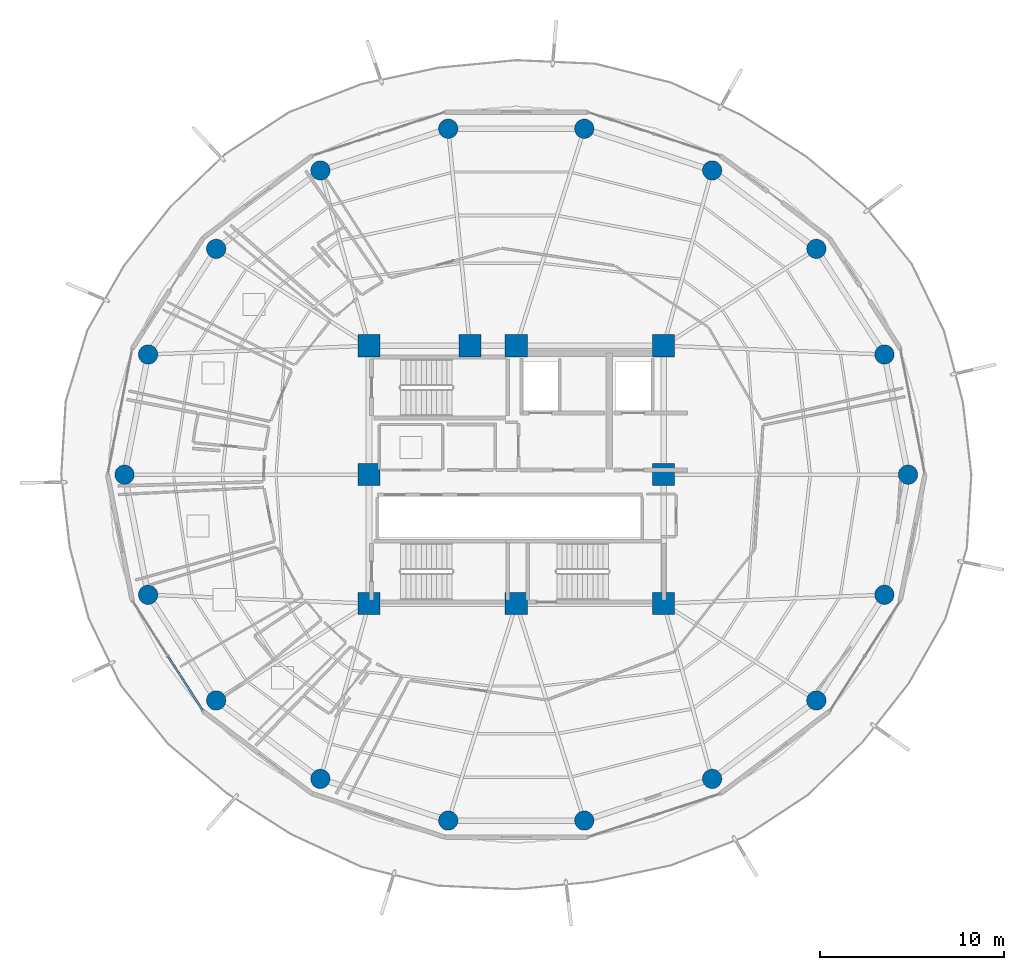
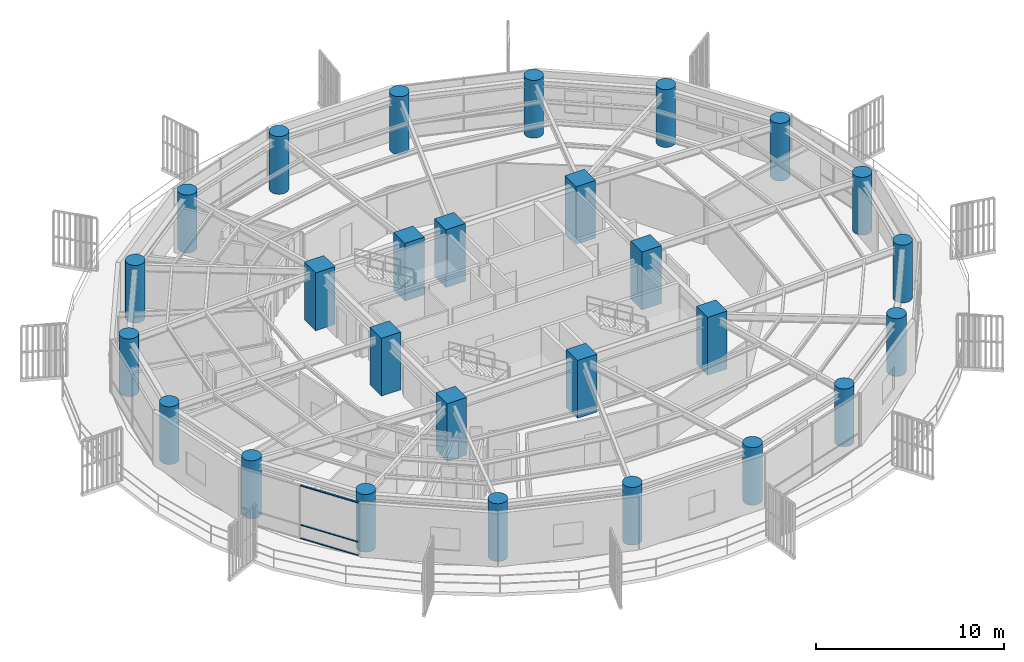
# One storey, part 1 of 31: 27 columns, 3 members, 1 element without a shape of its own.
"""IFC4 building model written with IfcOpenShell, lengths in metres."""

import ifcopenshell
import ifcopenshell.guid

model = None  # the IFC model being written
_history = None  # IfcOwnerHistory: only IFC2X3 demands one
_inside = {}  # id of a spatial element -> (the spatial element, [elements in it])
_under = {}  # id of a project, library or spatial element -> (it, [spatial elements below it])
_declared = {}  # id of a project -> (the project, [libraries it declares])
_typed = {}  # id of a type object -> (the type object, [elements of that type])
_made_of = {}  # id of a material, layer set ... -> (it, [elements and type objects made of it])


def new_model(schema):
    """Start an empty IFC model of exactly this schema.

    Asked for "IFC4X3", IfcOpenShell would pick the latest addendum, in which some entities
    have other attributes; the version numbers below select the first issue.
    IFC2X3 requires an IfcOwnerHistory on every rooted entity: one is made here for all.
    """
    global model, _history
    if schema == "IFC4X3":
        model = ifcopenshell.file(schema_version=(4, 3, 0, 0))
    else:
        model = ifcopenshell.file(schema=schema)
    _inside.clear()
    _under.clear()
    _declared.clear()
    _typed.clear()
    _made_of.clear()
    _history = None
    if model.schema == "IFC2X3":
        org = make("IfcOrganization", Name="unknown")
        user = make(
            "IfcPersonAndOrganization",
            ThePerson=make("IfcPerson", FamilyName="unknown"),
            TheOrganization=org,
        )
        app = make(
            "IfcApplication",
            ApplicationDeveloper=org,
            Version="unknown",
            ApplicationFullName="unknown",
            ApplicationIdentifier="unknown",
        )
        _history = make(
            "IfcOwnerHistory",
            OwningUser=user,
            OwningApplication=app,
            ChangeAction="ADDED",
            CreationDate=0,
        )
    return model


def make(cls, **values):
    """One entity of the class cls with the attributes given. An attribute that is None is left unset."""
    return model.create_entity(
        cls, **{name: value for name, value in values.items() if value is not None}
    )


def rooted(cls, **values):
    """An entity with a GlobalId (a new one), such as an element, a storey or a relation."""
    return make(cls, GlobalId=ifcopenshell.guid.new(), OwnerHistory=_history, **values)


def si_unit(unit_type, name, prefix=None):
    """IfcSIUnit, for example si_unit("LENGTHUNIT", "METRE", prefix="MILLI")."""
    return make("IfcSIUnit", UnitType=unit_type, Prefix=prefix, Name=name)


def assignment(units):
    """IfcUnitAssignment: the units of a project."""
    return None if units is None else make("IfcUnitAssignment", Units=units)


def point(xyz):
    """IfcCartesianPoint."""
    return None if xyz is None else make("IfcCartesianPoint", Coordinates=xyz)


def direction(xyz):
    """IfcDirection."""
    return None if xyz is None else make("IfcDirection", DirectionRatios=xyz)


def frame(location, z_axis=None, x_axis=None):
    """IfcAxis2Placement3D, a coordinate frame: its origin and axes. An axis left out is left unset."""
    return make(
        "IfcAxis2Placement3D",
        Location=point(location),
        Axis=direction(z_axis),
        RefDirection=direction(x_axis),
    )


def frame_2d(location, x_axis=None):
    """IfcAxis2Placement2D, a coordinate frame in the plane: its origin and x axis."""
    return make(
        "IfcAxis2Placement2D", Location=point(location), RefDirection=direction(x_axis)
    )


def origin():
    """The frame at (0, 0, 0) with its axes left unset."""
    return frame((0.0, 0.0, 0.0))


def origin_2d():
    """The frame at (0, 0) in the plane with its x axis left unset."""
    return frame_2d((0.0, 0.0))


def place(relative_to, where):
    """IfcLocalPlacement: puts the frame where relative to a parent placement (None: the world)."""
    return make(
        "IfcLocalPlacement", PlacementRelTo=relative_to, RelativePlacement=where
    )


def context(
    kind, dimensions, precision=None, world=None, true_north=None, identifier=None
):
    """IfcGeometricRepresentationContext, for example the 3D "Model" context."""
    return make(
        "IfcGeometricRepresentationContext",
        ContextIdentifier=identifier,
        ContextType=kind,
        CoordinateSpaceDimension=dimensions,
        Precision=precision,
        WorldCoordinateSystem=world,
        TrueNorth=true_north,
    )


def subcontext(parent, identifier, kind, view, scale=None):
    """IfcGeometricRepresentationSubContext, for example "Body" below "Model"."""
    return make(
        "IfcGeometricRepresentationSubContext",
        ContextIdentifier=identifier,
        ContextType=kind,
        ParentContext=parent,
        TargetScale=scale,
        TargetView=view,
    )


def project(units=None, contexts=None):
    """IfcProject with its units and contexts."""
    return rooted(
        "IfcProject",
        Name="project",
        RepresentationContexts=contexts,
        UnitsInContext=assignment(units),
    )


def spatial(cls, under=None, at=None, **own):
    """A site, building, storey or space (cls), placed at a placement, below another one or the project."""
    s = rooted(cls, ObjectPlacement=at, **own)
    if under is not None:
        _under.setdefault(under.id(), (under, []))[1].append(s)
    return s


def profile(cls, at=None, kind="AREA", **sizes):
    """A parametric profile (cls). Its sizes go by their IFC names, for example OverallWidth=200.0."""
    return make(cls, ProfileType=kind, Position=at, **sizes)


def rectangle(**sizes):
    """IfcRectangleProfileDef."""
    return profile("IfcRectangleProfileDef", **sizes)


def hollow_rectangle(**sizes):
    """IfcRectangleHollowProfileDef."""
    return profile("IfcRectangleHollowProfileDef", **sizes)


def circle(**sizes):
    """IfcCircleProfileDef."""
    return profile("IfcCircleProfileDef", **sizes)


def extrude(swept, where, along, depth):
    """IfcExtrudedAreaSolid: the profile swept, set in the frame where, extruded along a direction by depth."""
    return make(
        "IfcExtrudedAreaSolid",
        SweptArea=swept,
        Position=where,
        ExtrudedDirection=direction(along),
        Depth=depth,
    )


def shape(context_of_items, identifier, shape_type, items):
    """IfcShapeRepresentation: the items that make up one representation, for example the "Body"."""
    return make(
        "IfcShapeRepresentation",
        ContextOfItems=context_of_items,
        RepresentationIdentifier=identifier,
        RepresentationType=shape_type,
        Items=items,
    )


def material(Name=None, Category=None):
    """IfcMaterial."""
    return make("IfcMaterial", Name=Name, Category=Category)


def layer(
    of_material, thickness, ventilated=None, Name=None, Category=None, Priority=None
):
    """IfcMaterialLayer: one layer of a wall or slab, of a material (None: an air gap)."""
    return make(
        "IfcMaterialLayer",
        Material=of_material,
        LayerThickness=thickness,
        IsVentilated=ventilated,
        Name=Name,
        Category=Category,
        Priority=Priority,
    )


def layer_set(layers, Name=None):
    """IfcMaterialLayerSet."""
    return make("IfcMaterialLayerSet", MaterialLayers=layers, LayerSetName=Name)


def material_profile(
    of_material, cross_section, Name=None, Category=None, Priority=None
):
    """IfcMaterialProfile: a cross section and its material."""
    return make(
        "IfcMaterialProfile",
        Name=Name,
        Material=of_material,
        Profile=cross_section,
        Priority=Priority,
        Category=Category,
    )


def profile_set(profiles, Name=None, composite=None):
    """IfcMaterialProfileSet."""
    return make(
        "IfcMaterialProfileSet",
        Name=Name,
        MaterialProfiles=profiles,
        CompositeProfile=composite,
    )


def made_of(thing, what):
    """Note that an element or type object is made of a material, layer set ...; save() writes the relation."""
    if what is not None:
        _made_of.setdefault(what.id(), (what, []))[1].append(thing)
    return thing


def type_object(cls, material=None, **own):
    """A type object (cls), such as IfcWallType, which elements share."""
    return made_of(rooted(cls, **own), material)


def element(
    cls,
    number,
    at=None,
    inside=None,
    cuts=None,
    type_object=None,
    material=None,
    context=None,
    identifier="Body",
    shape_type=None,
    held_by="IfcProductDefinitionShape",
    body=None,
    shapes=None,
    **own,
):
    """One element of the class cls, such as IfcWall. Its Tag is "e" and its number.

    at: its placement. inside: the storey or other place that contains it. cuts: it is an
    opening in that element (IfcRelVoidsElement). A single representation is given by context,
    identifier, shape_type and body (its items); several are given by shapes. held_by: the class
    of the entity that holds the representations. save() writes the other relations.
    """
    e = rooted(cls, Tag="e%d" % number, ObjectPlacement=at, **own)
    if body is not None:
        shapes = [shape(context, identifier, shape_type, body)]
    if shapes is not None:
        e.Representation = make(held_by, Representations=shapes)
    if inside is not None:
        _inside.setdefault(inside.id(), (inside, []))[1].append(e)
    if cuts is not None:
        rooted(
            "IfcRelVoidsElement", RelatingBuildingElement=cuts, RelatedOpeningElement=e
        )
    if type_object is not None:
        _typed.setdefault(type_object.id(), (type_object, []))[1].append(e)
    return made_of(e, material)


def aggregate(whole, parts):
    """IfcRelAggregates: a whole, such as a stair, and the parts it consists of."""
    return rooted("IfcRelAggregates", RelatingObject=whole, RelatedObjects=parts)


def save(model, path):
    """Write the relations noted so far, then the file.

    IfcRelAggregates (storeys below a building ...), IfcRelContainedInSpatialStructure (elements
    in a storey), IfcRelDefinesByType, IfcRelAssociatesMaterial and IfcRelDeclares: one each for
    every whole, place, type object, material and project.
    """
    for whole, parts in _under.values():
        aggregate(whole, parts)
    for where, things in _inside.values():
        rooted(
            "IfcRelContainedInSpatialStructure",
            RelatedElements=things,
            RelatingStructure=where,
        )
    for kind, things in _typed.values():
        rooted("IfcRelDefinesByType", RelatedObjects=things, RelatingType=kind)
    for what, things in _made_of.values():
        rooted("IfcRelAssociatesMaterial", RelatedObjects=things, RelatingMaterial=what)
    for by, libraries in _declared.values():
        rooted("IfcRelDeclares", RelatingContext=by, RelatedDefinitions=libraries)
    model.write(path)


model = new_model("IFC4")

# Units and contexts
model_context = context("Model", 3, precision=1e-05, world=origin(), true_north=direction((0.0, 1.0)))
body_context = subcontext(model_context, "Body", "Model", "MODEL_VIEW")
ifc_project = project(units=[si_unit("LENGTHUNIT", "METRE"), si_unit("AREAUNIT", "SQUARE_METRE"), si_unit("VOLUMEUNIT", "CUBIC_METRE"), si_unit("PLANEANGLEUNIT", "RADIAN"), si_unit("MASSUNIT", "GRAM", prefix="KILO")], contexts=[model_context])

# Site, building, storey
site_placement = place(None, origin())
site = spatial("IfcSite", under=ifc_project, at=site_placement, CompositionType="ELEMENT")
building_placement = place(site_placement, origin())
building = spatial("IfcBuilding", under=site, at=building_placement, Name="Kelanora Arch Commons", CompositionType="ELEMENT")
storey_placement = place(building_placement, frame((0.0, 0.0, 200.699951171875)))
storey = spatial("IfcBuildingStorey", under=building, at=storey_placement, Name="L51", CompositionType="ELEMENT", Elevation=200.699951171875)

# Columns
ifc_material_1 = material(Name="Concrete C50/60", Category="concrete")
ifc_material_profile_1 = material_profile(ifc_material_1, circle(Radius=0.52490234375, at=origin_2d()), Name="RCC1050")
ifc_profile_set_1 = profile_set([ifc_material_profile_1], Name="Concrete C50/60")
column_type_1 = type_object("IfcColumnType", Name="COL-PERIM-Z4", PredefinedType="COLUMN", material=ifc_profile_set_1)
for number, where, z_axis, x_axis, name in (
    (1, (95.280029296875, 58.0, 0.0), (0.0, 0.0, 1.0), (1.0, 0.0, 0.0), "Perimeter Ring Column CP-00 L51"),
    (2, (93.99658203125, 64.525634765625, 0.0), (0.0, 0.0, 1.0), (1.0, 0.0, 0.0), "Perimeter Ring Column CP-02 L51"),
    (3, (90.301513671875, 70.264404296875, 0.0), (0.0, 0.0, 1.0), (1.0, 0.0, 0.0), "Perimeter Ring Column CP-04 L51"),
    (4, (84.639892578125, 74.523681640625, 0.0), (0.0, 0.0, 1.0), (1.0, 0.0, 0.0), "Perimeter Ring Column CP-06 L51"),
    (5, (77.6953125, 76.7900390625, 0.0), (0.0, 0.0, 1.0), (1.0, 0.0, 0.0), "Perimeter Ring Column CP-08 L51"),
    (6, (70.3046875, 76.7900390625, 0.0), (0.0, 0.0, 1.0), (1.0, 0.0, 0.0), "Perimeter Ring Column CP-10 L51"),
    (7, (63.360107421875, 74.523681640625, 0.0), (0.0, 0.0, 1.0), (1.0, 0.0, 0.0), "Perimeter Ring Column CP-12 L51"),
    (8, (57.698486328125, 70.264404296875, 0.0), (0.0, 0.0, 1.0), (1.0, 0.0, 0.0), "Perimeter Ring Column CP-14 L51"),
    (9, (54.00341796875, 64.525634765625, 0.0), (0.0, 0.0, 1.0), (1.0, 0.0, 0.0), "Perimeter Ring Column CP-16 L51"),
    (10, (52.719970703125, 58.0, 0.0), (0.0, 0.0, 1.0), (1.0, 0.0, 0.0), "Perimeter Ring Column CP-18 L51"),
    (11, (54.00341796875, 51.474365234375, 0.0), (0.0, 0.0, 1.0), (1.0, 0.0, 0.0), "Perimeter Ring Column CP-20 L51"),
    (12, (57.698486328125, 45.735595703125, 0.0), (0.0, 0.0, 1.0), (1.0, 0.0, 0.0), "Perimeter Ring Column CP-22 L51"),
    (13, (63.360107421875, 41.476318359375, 0.0), (0.0, 0.0, 1.0), (1.0, 0.0, 0.0), "Perimeter Ring Column CP-24 L51"),
    (14, (70.3046875, 39.2099609375, 0.0), (0.0, 0.0, 1.0), (1.0, 0.0, 0.0), "Perimeter Ring Column CP-26 L51"),
    (15, (77.6953125, 39.2099609375, 0.0), (0.0, 0.0, 1.0), (1.0, 0.0, 0.0), "Perimeter Ring Column CP-28 L51"),
    (16, (84.639892578125, 41.476318359375, 0.0), (0.0, 0.0, 1.0), (1.0, 0.0, 0.0), "Perimeter Ring Column CP-30 L51"),
    (17, (90.301513671875, 45.735595703125, 0.0), (0.0, 0.0, 1.0), (1.0, 0.0, 0.0), "Perimeter Ring Column CP-32 L51"),
    (18, (93.99658203125, 51.474365234375, 0.0), (0.0, 0.0, 1.0), (1.0, 0.0, 0.0), "Perimeter Ring Column CP-34 L51"),
):
    element("IfcColumn", number, at=place(storey_placement, frame(where, z_axis=z_axis, x_axis=x_axis)), inside=storey, type_object=column_type_1, Name=name, PredefinedType="COLUMN", context=body_context, shape_type="SweptSolid", body=[
        extrude(circle(Radius=0.52490234375, at=origin_2d()), origin(), (0.0, 0.0, 1.0), 3.75),
    ])
ifc_material_2 = material(Name="Concrete C60/75", Category="concrete")
ifc_material_profile_2 = material_profile(ifc_material_2, rectangle(XDim=1.199951171875, YDim=1.199951171875, at=origin_2d()), Name="RC1200x1200")
ifc_profile_set_2 = profile_set([ifc_material_profile_2], Name="Concrete C60/75")
column_type_2 = type_object("IfcColumnType", Name="COL-PIL-MID", PredefinedType="PILASTER", material=ifc_profile_set_2)
for number, where, z_axis, x_axis, name in (
    (19, (66.0, 51.0, 0.0), (0.0, 0.0, 1.0), (1.0, 0.0, 0.0), "Core Pilaster Column CP1 L51"),
    (20, (74.0, 51.0, 0.0), (0.0, 0.0, 1.0), (1.0, 0.0, 0.0), "Core Pilaster Column CP2 L51"),
    (21, (82.0, 51.0, 0.0), (0.0, 0.0, 1.0), (1.0, 0.0, 0.0), "Core Pilaster Column CP3 L51"),
    (22, (82.0, 58.0, 0.0), (0.0, 0.0, 1.0), (1.0, 0.0, 0.0), "Core Pilaster Column CP4 L51"),
    (23, (82.0, 65.0, 0.0), (0.0, 0.0, 1.0), (1.0, 0.0, 0.0), "Core Pilaster Column CP5 L51"),
    (24, (74.0, 65.0, 0.0), (0.0, 0.0, 1.0), (1.0, 0.0, 0.0), "Core Pilaster Column CP6 L51"),
    (25, (71.47998046875, 65.0, 0.0), (0.0, 0.0, 1.0), (1.0, 0.0, 0.0), "Core Pilaster Column CP9 L51"),
    (26, (66.0, 65.0, 0.0), (0.0, 0.0, 1.0), (1.0, 0.0, 0.0), "Core Pilaster Column CP7 L51"),
    (27, (66.0, 58.0, 0.0), (0.0, 0.0, 1.0), (1.0, 0.0, 0.0), "Core Pilaster Column CP8 L51"),
):
    element("IfcColumn", number, at=place(storey_placement, frame(where, z_axis=z_axis, x_axis=x_axis)), inside=storey, type_object=column_type_2, Name=name, PredefinedType="PILASTER", context=body_context, shape_type="SweptSolid", body=[
        extrude(rectangle(XDim=1.199951171875, YDim=1.199951171875, at=origin_2d()), origin(), (0.0, 0.0, 1.0), 3.75),
    ])

# Curtain wall, members
ifc_material_3 = material(Name="Terracotta ceramic-fritted low-E glass and aluminium", Category="masonry")
ifc_layer = layer(ifc_material_3, 0.175048828125)
ifc_layer_set = layer_set([ifc_layer], Name="Terracotta ceramic-fritted low-E glass and aluminium")
curtain_wall_type = type_object("IfcCurtainWallType", Name="CW-SYS-02", PredefinedType="NOTDEFINED", material=ifc_layer_set)
curtain_wall_placement = place(storey_placement, origin())
curtain_wall = element("IfcCurtainWall", 28, at=curtain_wall_placement, inside=storey, type_object=curtain_wall_type, Name="Unitised Curtain Wall L51-B10", PredefinedType="NOTDEFINED")
ifc_material_4 = material(Name="Powder-coated aluminium terracotta", Category="masonry")
ifc_material_profile_3 = material_profile(ifc_material_4, hollow_rectangle(XDim=0.1201171875, YDim=0.06005859375, WallThickness=0.0048828125, InnerFilletRadius=0.0048828125, OuterFilletRadius=0.010009765625, at=origin_2d()), Name="CWT120x60")
ifc_profile_set_3 = profile_set([ifc_material_profile_3], Name="Powder-coated aluminium terracotta")
member_type = type_object("IfcMemberType", Name="CWT-STD", PredefinedType="USERDEFINED", material=ifc_profile_set_3)
member_1_placement = place(storey_placement, frame((55.08251953125, 48.126708984375, 0.030029296875), z_axis=(0.53954710894, -0.841955412854, 0.0), x_axis=(0.841955412854, 0.53954710894, 0.0)))
member_1 = element("IfcMember", 29, at=member_1_placement, type_object=member_type, Name="CW-02 transom 2.1", ObjectType="TRANSOM", PredefinedType="USERDEFINED", context=body_context, shape_type="SweptSolid", body=[
    extrude(hollow_rectangle(XDim=0.1201171875, YDim=0.06005859375, WallThickness=0.0048828125, InnerFilletRadius=0.0048828125, OuterFilletRadius=0.010009765625, at=origin_2d()), origin(), (0.0, 0.0, 1.0), 3.467529296875),
])
member_2_placement = place(storey_placement, frame((55.08251953125, 48.126708984375, 0.900146484375), z_axis=(0.53954710894, -0.841955412854, 0.0), x_axis=(0.841955412854, 0.53954710894, 0.0)))
member_2 = element("IfcMember", 30, at=member_2_placement, type_object=member_type, Name="CW-02 transom 2.2", ObjectType="TRANSOM", PredefinedType="USERDEFINED", context=body_context, shape_type="SweptSolid", body=[
    extrude(hollow_rectangle(XDim=0.1201171875, YDim=0.06005859375, WallThickness=0.0048828125, InnerFilletRadius=0.0048828125, OuterFilletRadius=0.010009765625, at=origin_2d()), origin(), (0.0, 0.0, 1.0), 3.467529296875),
])
member_3_placement = place(storey_placement, frame((55.08251953125, 48.126708984375, 3.445068359375), z_axis=(0.53954710894, -0.841955412854, 0.0), x_axis=(0.841955412854, 0.53954710894, 0.0)))
member_3 = element("IfcMember", 31, at=member_3_placement, type_object=member_type, Name="CW-02 transom 2.3", ObjectType="TRANSOM", PredefinedType="USERDEFINED", context=body_context, shape_type="SweptSolid", body=[
    extrude(hollow_rectangle(XDim=0.1201171875, YDim=0.06005859375, WallThickness=0.0048828125, InnerFilletRadius=0.0048828125, OuterFilletRadius=0.010009765625, at=origin_2d()), origin(), (0.0, 0.0, 1.0), 3.467529296875),
])
aggregate(curtain_wall, [member_1, member_2, member_3])

save(model, "model.ifc")
